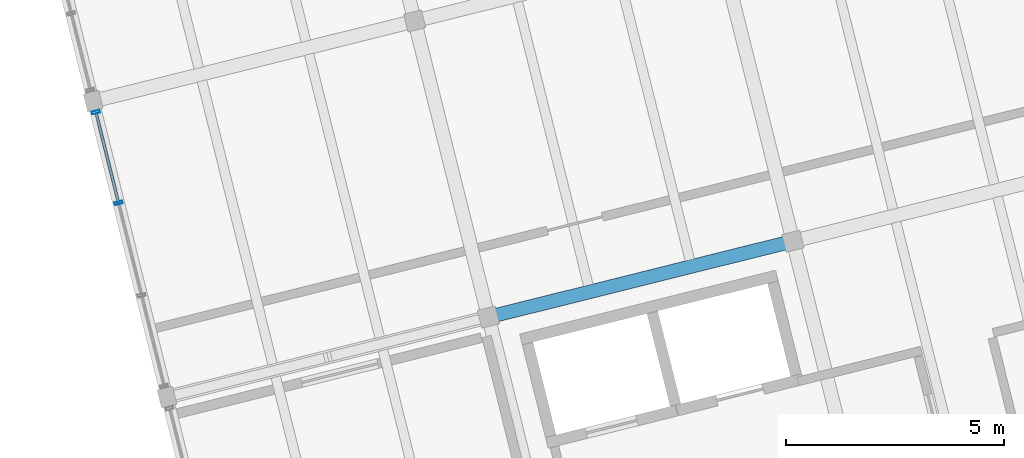
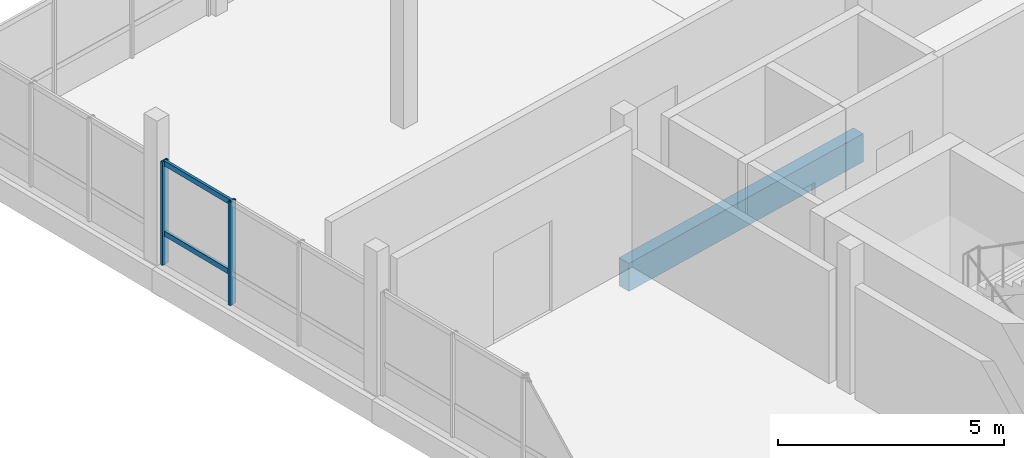
# One storey, part 8 of 28: 4 members, 1 beam, 1 element without a shape of its own.
"""IFC4 building model written with IfcOpenShell, lengths in metres."""

import ifcopenshell
import ifcopenshell.guid

model = None  # the IFC model being written
_history = None  # IfcOwnerHistory: only IFC2X3 demands one
_inside = {}  # id of a spatial element -> (the spatial element, [elements in it])
_under = {}  # id of a project, library or spatial element -> (it, [spatial elements below it])
_declared = {}  # id of a project -> (the project, [libraries it declares])
_typed = {}  # id of a type object -> (the type object, [elements of that type])
_made_of = {}  # id of a material, layer set ... -> (it, [elements and type objects made of it])


def new_model(schema):
    """Start an empty IFC model of exactly this schema.

    Asked for "IFC4X3", IfcOpenShell would pick the latest addendum, in which some entities
    have other attributes; the version numbers below select the first issue.
    IFC2X3 requires an IfcOwnerHistory on every rooted entity: one is made here for all.
    """
    global model, _history
    if schema == "IFC4X3":
        model = ifcopenshell.file(schema_version=(4, 3, 0, 0))
    else:
        model = ifcopenshell.file(schema=schema)
    _inside.clear()
    _under.clear()
    _declared.clear()
    _typed.clear()
    _made_of.clear()
    _history = None
    if model.schema == "IFC2X3":
        org = make("IfcOrganization", Name="unknown")
        user = make(
            "IfcPersonAndOrganization",
            ThePerson=make("IfcPerson", FamilyName="unknown"),
            TheOrganization=org,
        )
        app = make(
            "IfcApplication",
            ApplicationDeveloper=org,
            Version="unknown",
            ApplicationFullName="unknown",
            ApplicationIdentifier="unknown",
        )
        _history = make(
            "IfcOwnerHistory",
            OwningUser=user,
            OwningApplication=app,
            ChangeAction="ADDED",
            CreationDate=0,
        )
    return model


def make(cls, **values):
    """One entity of the class cls with the attributes given. An attribute that is None is left unset."""
    return model.create_entity(
        cls, **{name: value for name, value in values.items() if value is not None}
    )


def rooted(cls, **values):
    """An entity with a GlobalId (a new one), such as an element, a storey or a relation."""
    return make(cls, GlobalId=ifcopenshell.guid.new(), OwnerHistory=_history, **values)


def si_unit(unit_type, name, prefix=None):
    """IfcSIUnit, for example si_unit("LENGTHUNIT", "METRE", prefix="MILLI")."""
    return make("IfcSIUnit", UnitType=unit_type, Prefix=prefix, Name=name)


def assignment(units):
    """IfcUnitAssignment: the units of a project."""
    return None if units is None else make("IfcUnitAssignment", Units=units)


def point(xyz):
    """IfcCartesianPoint."""
    return None if xyz is None else make("IfcCartesianPoint", Coordinates=xyz)


def direction(xyz):
    """IfcDirection."""
    return None if xyz is None else make("IfcDirection", DirectionRatios=xyz)


def frame(location, z_axis=None, x_axis=None):
    """IfcAxis2Placement3D, a coordinate frame: its origin and axes. An axis left out is left unset."""
    return make(
        "IfcAxis2Placement3D",
        Location=point(location),
        Axis=direction(z_axis),
        RefDirection=direction(x_axis),
    )


def frame_2d(location, x_axis=None):
    """IfcAxis2Placement2D, a coordinate frame in the plane: its origin and x axis."""
    return make(
        "IfcAxis2Placement2D", Location=point(location), RefDirection=direction(x_axis)
    )


def origin():
    """The frame at (0, 0, 0) with its axes left unset."""
    return frame((0.0, 0.0, 0.0))


def origin_2d():
    """The frame at (0, 0) in the plane with its x axis left unset."""
    return frame_2d((0.0, 0.0))


def place(relative_to, where):
    """IfcLocalPlacement: puts the frame where relative to a parent placement (None: the world)."""
    return make(
        "IfcLocalPlacement", PlacementRelTo=relative_to, RelativePlacement=where
    )


def context(
    kind, dimensions, precision=None, world=None, true_north=None, identifier=None
):
    """IfcGeometricRepresentationContext, for example the 3D "Model" context."""
    return make(
        "IfcGeometricRepresentationContext",
        ContextIdentifier=identifier,
        ContextType=kind,
        CoordinateSpaceDimension=dimensions,
        Precision=precision,
        WorldCoordinateSystem=world,
        TrueNorth=true_north,
    )


def subcontext(parent, identifier, kind, view, scale=None):
    """IfcGeometricRepresentationSubContext, for example "Body" below "Model"."""
    return make(
        "IfcGeometricRepresentationSubContext",
        ContextIdentifier=identifier,
        ContextType=kind,
        ParentContext=parent,
        TargetScale=scale,
        TargetView=view,
    )


def project(units=None, contexts=None):
    """IfcProject with its units and contexts."""
    return rooted(
        "IfcProject",
        Name="project",
        RepresentationContexts=contexts,
        UnitsInContext=assignment(units),
    )


def spatial(cls, under=None, at=None, **own):
    """A site, building, storey or space (cls), placed at a placement, below another one or the project."""
    s = rooted(cls, ObjectPlacement=at, **own)
    if under is not None:
        _under.setdefault(under.id(), (under, []))[1].append(s)
    return s


def profile(cls, at=None, kind="AREA", **sizes):
    """A parametric profile (cls). Its sizes go by their IFC names, for example OverallWidth=200.0."""
    return make(cls, ProfileType=kind, Position=at, **sizes)


def rectangle(**sizes):
    """IfcRectangleProfileDef."""
    return profile("IfcRectangleProfileDef", **sizes)


def hollow_rectangle(**sizes):
    """IfcRectangleHollowProfileDef."""
    return profile("IfcRectangleHollowProfileDef", **sizes)


def extrude(swept, where, along, depth):
    """IfcExtrudedAreaSolid: the profile swept, set in the frame where, extruded along a direction by depth."""
    return make(
        "IfcExtrudedAreaSolid",
        SweptArea=swept,
        Position=where,
        ExtrudedDirection=direction(along),
        Depth=depth,
    )


def shape(context_of_items, identifier, shape_type, items):
    """IfcShapeRepresentation: the items that make up one representation, for example the "Body"."""
    return make(
        "IfcShapeRepresentation",
        ContextOfItems=context_of_items,
        RepresentationIdentifier=identifier,
        RepresentationType=shape_type,
        Items=items,
    )


def material(Name=None, Category=None):
    """IfcMaterial."""
    return make("IfcMaterial", Name=Name, Category=Category)


def layer(
    of_material, thickness, ventilated=None, Name=None, Category=None, Priority=None
):
    """IfcMaterialLayer: one layer of a wall or slab, of a material (None: an air gap)."""
    return make(
        "IfcMaterialLayer",
        Material=of_material,
        LayerThickness=thickness,
        IsVentilated=ventilated,
        Name=Name,
        Category=Category,
        Priority=Priority,
    )


def layer_set(layers, Name=None):
    """IfcMaterialLayerSet."""
    return make("IfcMaterialLayerSet", MaterialLayers=layers, LayerSetName=Name)


def material_profile(
    of_material, cross_section, Name=None, Category=None, Priority=None
):
    """IfcMaterialProfile: a cross section and its material."""
    return make(
        "IfcMaterialProfile",
        Name=Name,
        Material=of_material,
        Profile=cross_section,
        Priority=Priority,
        Category=Category,
    )


def profile_set(profiles, Name=None, composite=None):
    """IfcMaterialProfileSet."""
    return make(
        "IfcMaterialProfileSet",
        Name=Name,
        MaterialProfiles=profiles,
        CompositeProfile=composite,
    )


def made_of(thing, what):
    """Note that an element or type object is made of a material, layer set ...; save() writes the relation."""
    if what is not None:
        _made_of.setdefault(what.id(), (what, []))[1].append(thing)
    return thing


def type_object(cls, material=None, **own):
    """A type object (cls), such as IfcWallType, which elements share."""
    return made_of(rooted(cls, **own), material)


def element(
    cls,
    number,
    at=None,
    inside=None,
    cuts=None,
    type_object=None,
    material=None,
    context=None,
    identifier="Body",
    shape_type=None,
    held_by="IfcProductDefinitionShape",
    body=None,
    shapes=None,
    **own,
):
    """One element of the class cls, such as IfcWall. Its Tag is "e" and its number.

    at: its placement. inside: the storey or other place that contains it. cuts: it is an
    opening in that element (IfcRelVoidsElement). A single representation is given by context,
    identifier, shape_type and body (its items); several are given by shapes. held_by: the class
    of the entity that holds the representations. save() writes the other relations.
    """
    e = rooted(cls, Tag="e%d" % number, ObjectPlacement=at, **own)
    if body is not None:
        shapes = [shape(context, identifier, shape_type, body)]
    if shapes is not None:
        e.Representation = make(held_by, Representations=shapes)
    if inside is not None:
        _inside.setdefault(inside.id(), (inside, []))[1].append(e)
    if cuts is not None:
        rooted(
            "IfcRelVoidsElement", RelatingBuildingElement=cuts, RelatedOpeningElement=e
        )
    if type_object is not None:
        _typed.setdefault(type_object.id(), (type_object, []))[1].append(e)
    return made_of(e, material)


def aggregate(whole, parts):
    """IfcRelAggregates: a whole, such as a stair, and the parts it consists of."""
    return rooted("IfcRelAggregates", RelatingObject=whole, RelatedObjects=parts)


def save(model, path):
    """Write the relations noted so far, then the file.

    IfcRelAggregates (storeys below a building ...), IfcRelContainedInSpatialStructure (elements
    in a storey), IfcRelDefinesByType, IfcRelAssociatesMaterial and IfcRelDeclares: one each for
    every whole, place, type object, material and project.
    """
    for whole, parts in _under.values():
        aggregate(whole, parts)
    for where, things in _inside.values():
        rooted(
            "IfcRelContainedInSpatialStructure",
            RelatedElements=things,
            RelatingStructure=where,
        )
    for kind, things in _typed.values():
        rooted("IfcRelDefinesByType", RelatedObjects=things, RelatingType=kind)
    for what, things in _made_of.values():
        rooted("IfcRelAssociatesMaterial", RelatedObjects=things, RelatingMaterial=what)
    for by, libraries in _declared.values():
        rooted("IfcRelDeclares", RelatingContext=by, RelatedDefinitions=libraries)
    model.write(path)


model = new_model("IFC4")

# Units and contexts
model_context = context("Model", 3, precision=1e-05, world=origin(), true_north=direction((0.0, 1.0)))
body_context = subcontext(model_context, "Body", "Model", "MODEL_VIEW")
ifc_project = project(units=[si_unit("LENGTHUNIT", "METRE"), si_unit("AREAUNIT", "SQUARE_METRE"), si_unit("VOLUMEUNIT", "CUBIC_METRE"), si_unit("PLANEANGLEUNIT", "RADIAN"), si_unit("MASSUNIT", "GRAM", prefix="KILO")], contexts=[model_context])

# Site, building, storey
site_placement = place(None, origin())
site = spatial("IfcSite", under=ifc_project, at=site_placement, CompositionType="ELEMENT")
building_placement = place(site_placement, origin())
building = spatial("IfcBuilding", under=site, at=building_placement, Name="Meriwether Solvik Hall", CompositionType="ELEMENT")
storey_placement = place(building_placement, frame((0.0, 0.0, 30.0)))
storey = spatial("IfcBuildingStorey", under=building, at=storey_placement, Name="L07", CompositionType="ELEMENT", Elevation=30.0)

# Beam
ifc_material_1 = material(Name="Glulam Douglas-Fir 24F-V8 GL28h", Category="wood")
ifc_material_profile_1 = material_profile(ifc_material_1, rectangle(XDim=0.31494140625, YDim=0.760009765625, at=origin_2d()), Name="GLB-315X760")
ifc_profile_set_1 = profile_set([ifc_material_profile_1], Name="Glulam Douglas-Fir 24F-V8 GL28h")
beam_type = type_object("IfcBeamType", Name="BM-GL-315X760", PredefinedType="BEAM", material=ifc_profile_set_1)
beam_placement = place(storey_placement, frame((70.893798828125, 63.414794921875, -0.60009765625), z_axis=(0.970293896644, 0.241929233735, 0.0), x_axis=(-0.241929233735, 0.970293896644, 0.0)))
element("IfcBeam", 1, at=beam_placement, inside=storey, type_object=beam_type, Name="Tower Girder TD:T2-T3 (L07)", PredefinedType="BEAM", context=body_context, shape_type="SweptSolid", body=[
    extrude(rectangle(XDim=0.31494140625, YDim=0.760009765625, at=origin_2d()), origin(), (0.0, 0.0, 1.0), 7.2001953125),
])

# Curtain wall, members
ifc_material_2 = material(Name="Thermally Broken Anodised Aluminium 6063-T6 and Low-E Glass", Category="aluminium")
ifc_layer = layer(ifc_material_2, 0.179931640625)
ifc_layer_set = layer_set([ifc_layer], Name="Thermally Broken Anodised Aluminium 6063-T6 and Low-E Glass")
curtain_wall_type = type_object("IfcCurtainWallType", Name="CW-UNIT-F", PredefinedType="USERDEFINED", material=ifc_layer_set)
curtain_wall_placement = place(storey_placement, origin())
curtain_wall = element("IfcCurtainWall", 2, at=curtain_wall_placement, inside=storey, type_object=curtain_wall_type, Name="Curtain Wall E5_B3 (L07)", ObjectType="UNITISED CURTAIN WALL", PredefinedType="USERDEFINED")
ifc_material_3 = material(Name="Anodised Aluminium 6063-T6", Category="aluminium")
ifc_material_profile_2 = material_profile(ifc_material_3, hollow_rectangle(XDim=0.06494140625, YDim=0.179931640625, WallThickness=0.00439453125, at=origin_2d()), Name="CWM-65X180")
ifc_profile_set_2 = profile_set([ifc_material_profile_2], Name="Anodised Aluminium 6063-T6")
member_type_1 = type_object("IfcMemberType", Name="CW-MUL-65X180", PredefinedType="MULLION", material=ifc_profile_set_2)
member_1_placement = place(storey_placement, frame((62.40869140625, 66.032470703125, 0.0), z_axis=(0.0, 0.0, 1.0), x_axis=(-0.241921895312, 0.970295726348, 0.0)))
member_1 = element("IfcMember", 3, at=member_1_placement, type_object=member_type_1, Name="Curtain Wall Mullion 3", PredefinedType="MULLION", context=body_context, shape_type="SweptSolid", body=[
    extrude(hollow_rectangle(XDim=0.06494140625, YDim=0.179931640625, WallThickness=0.00439453125, at=origin_2d()), origin(), (0.0, 0.0, 1.0), 2.7900390625),
])
member_2_placement = place(storey_placement, frame((61.88916015625, 68.115966796875, 0.0), z_axis=(0.0, 0.0, 1.0), x_axis=(-0.241921895312, 0.970295726348, 0.0)))
member_2 = element("IfcMember", 4, at=member_2_placement, type_object=member_type_1, Name="Curtain Wall Mullion 4", PredefinedType="MULLION", context=body_context, shape_type="SweptSolid", body=[
    extrude(hollow_rectangle(XDim=0.06494140625, YDim=0.179931640625, WallThickness=0.00439453125, at=origin_2d()), origin(), (0.0, 0.0, 1.0), 2.7900390625),
])
ifc_material_4 = material(Name="Anodised Aluminium 6063-T6", Category="aluminium")
ifc_material_profile_3 = material_profile(ifc_material_4, hollow_rectangle(XDim=0.06494140625, YDim=0.139892578125, WallThickness=0.00439453125, at=origin_2d()), Name="CWT-65X140")
ifc_profile_set_3 = profile_set([ifc_material_profile_3], Name="Anodised Aluminium 6063-T6")
member_type_2 = type_object("IfcMemberType", Name="CW-TRN-65X140", PredefinedType="USERDEFINED", material=ifc_profile_set_3)
member_3_placement = place(storey_placement, frame((62.40869140625, 66.032470703125, 0.8369140625), z_axis=(-0.241947031677, 0.970289458802, 0.0), x_axis=(-0.970289458802, -0.241947031677, 0.0)))
member_3 = element("IfcMember", 5, at=member_3_placement, type_object=member_type_2, Name="Curtain Wall Transom 3-sill", ObjectType="TRANSOM", PredefinedType="USERDEFINED", context=body_context, shape_type="SweptSolid", body=[
    extrude(hollow_rectangle(XDim=0.06494140625, YDim=0.139892578125, WallThickness=0.00439453125, at=origin_2d()), origin(), (0.0, 0.0, 1.0), 2.147216796875),
])
member_4_placement = place(storey_placement, frame((62.40869140625, 66.032470703125, 2.72998046875), z_axis=(-0.241947031677, 0.970289458802, 0.0), x_axis=(-0.970289458802, -0.241947031677, 0.0)))
member_4 = element("IfcMember", 6, at=member_4_placement, type_object=member_type_2, Name="Curtain Wall Transom 3-head", ObjectType="TRANSOM", PredefinedType="USERDEFINED", context=body_context, shape_type="SweptSolid", body=[
    extrude(hollow_rectangle(XDim=0.06494140625, YDim=0.139892578125, WallThickness=0.00439453125, at=origin_2d()), origin(), (0.0, 0.0, 1.0), 2.147216796875),
])
aggregate(curtain_wall, [member_1, member_2, member_3, member_4])

save(model, "model.ifc")
